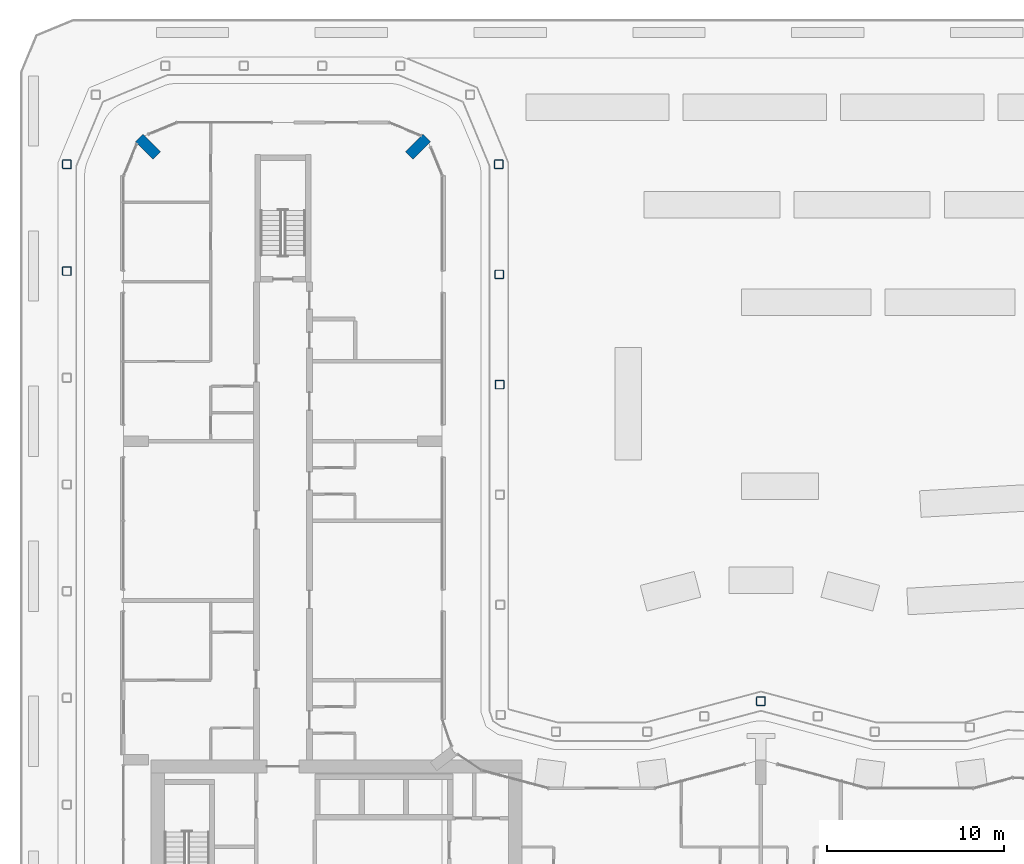
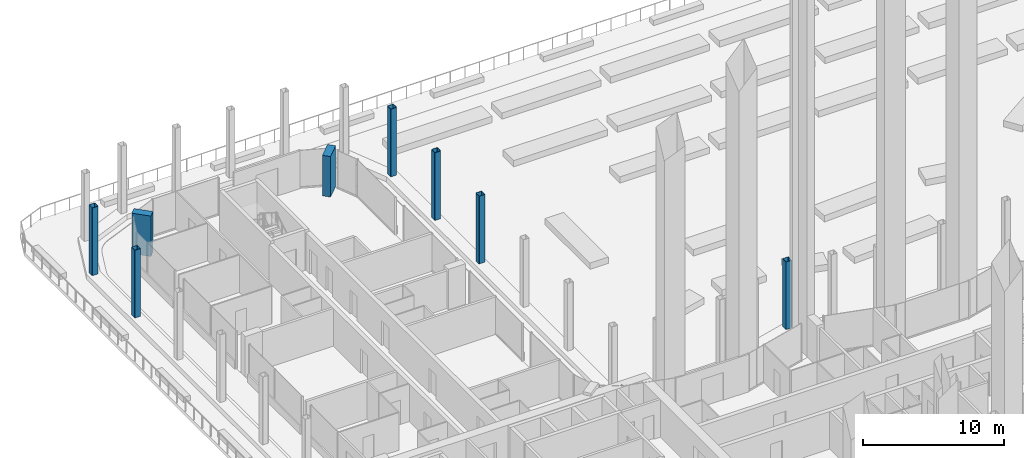
# One storey, part 2 of 33: 8 columns.
"""IFC4 building model written with IfcOpenShell, lengths in metres."""

from ifc_helpers import new_model, si_unit, direction, frame, origin, origin_2d, place, context, subcontext, project, spatial, rectangle, hollow_rectangle, extrude, material, material_profile, profile_set, type_object, element, save


model = new_model("IFC4")

# Units and contexts
model_context = context("Model", 3, precision=1e-05, world=origin(), true_north=direction((0.0, 1.0)))
body_context = subcontext(model_context, "Body", "Model", "MODEL_VIEW")
ifc_project = project(units=[si_unit("LENGTHUNIT", "METRE"), si_unit("AREAUNIT", "SQUARE_METRE"), si_unit("VOLUMEUNIT", "CUBIC_METRE"), si_unit("PLANEANGLEUNIT", "RADIAN"), si_unit("MASSUNIT", "GRAM", prefix="KILO")], contexts=[model_context])

# Site, building, storey
site_placement = place(None, origin())
site = spatial("IfcSite", under=ifc_project, at=site_placement, CompositionType="ELEMENT")
building_placement = place(site_placement, origin())
building = spatial("IfcBuilding", under=site, at=building_placement, Name="Plateau Cross Towers", CompositionType="ELEMENT")
storey_placement = place(building_placement, frame((0.0, 0.0, 26.800048828125)))
storey = spatial("IfcBuildingStorey", under=building, at=storey_placement, Name="L05", CompositionType="ELEMENT", Elevation=26.800048828125)

# Columns
ifc_material_1 = material(Name="Concrete C60/75", Category="concrete")
ifc_material_profile_1 = material_profile(ifc_material_1, rectangle(XDim=0.60009765625, YDim=1.39990234375, at=origin_2d()), Name="RC 600x1400")
ifc_profile_set_1 = profile_set([ifc_material_profile_1], Name="Concrete C60/75")
column_type_1 = type_object("IfcColumnType", Name="Fin pier column RC 600x1400", PredefinedType="COLUMN", material=ifc_profile_set_1)
for number, where, z_axis, x_axis, name in (
    (1, (16.62646484375, 52.62646484375, 0.0), (0.0, 0.0, 1.0), (-0.707106781187, 0.707106781187, 0.0), "PR8 L05"),
    (2, (1.37353515625, 52.62646484375, 0.0), (0.0, 0.0, 1.0), (0.707106781187, 0.707106781187, 0.0), "PR9 L05"),
):
    element("IfcColumn", number, at=place(storey_placement, frame(where, z_axis=z_axis, x_axis=x_axis)), inside=storey, type_object=column_type_1, Name=name, PredefinedType="COLUMN", context=body_context, shape_type="SweptSolid", body=[
        extrude(rectangle(XDim=0.60009765625, YDim=1.39990234375, at=origin_2d()), origin(), (0.0, 0.0, 1.0), 3.5),
    ])
ifc_material_2 = material(Name="Steel S355", Category="steel")
ifc_material_profile_2 = material_profile(ifc_material_2, hollow_rectangle(XDim=0.5, YDim=0.5, WallThickness=0.02490234375, InnerFilletRadius=0.02490234375, OuterFilletRadius=0.050048828125, at=origin_2d()), Name="SHS 500x500x25")
ifc_profile_set_2 = profile_set([ifc_material_profile_2], Name="Steel S355")
column_type_2 = type_object("IfcColumnType", Name="Plinth column SHS 500x500x25", PredefinedType="COLUMN", material=ifc_profile_set_2)
for number, where, z_axis, x_axis, name in (
    (3, (-3.199951171875, 45.609130859375, 0.449951171875), (0.0, 0.0, 1.0), (1.0, 0.0, 0.0), "Plinth column 29"),
    (4, (-3.199951171875, 51.636474609375, 0.449951171875), (0.0, 0.0, 1.0), (1.0, 0.0, 0.0), "Plinth column 30"),
    (5, (21.199951171875, 51.636474609375, 0.449951171875), (0.0, 0.0, 1.0), (1.0, 0.0, 0.0), "Plinth column 37"),
    (6, (21.22021484375, 45.415771484375, 0.449951171875), (0.0, 0.0, 1.0), (1.0, 0.0, 0.0), "Plinth column 38"),
    (7, (21.240478515625, 39.1953125, 0.449951171875), (0.0, 0.0, 1.0), (1.0, 0.0, 0.0), "Plinth column 39"),
    (8, (36.0, 21.312744140625, 0.449951171875), (0.0, 0.0, 1.0), (1.0, 0.0, 0.0), "Plinth column 46"),
):
    element("IfcColumn", number, at=place(storey_placement, frame(where, z_axis=z_axis, x_axis=x_axis)), inside=storey, type_object=column_type_2, Name=name, PredefinedType="COLUMN", context=body_context, shape_type="SweptSolid", body=[
        extrude(hollow_rectangle(XDim=0.5, YDim=0.5, WallThickness=0.02490234375, InnerFilletRadius=0.02490234375, OuterFilletRadius=0.050048828125, at=origin_2d()), origin(), (0.0, 0.0, 1.0), 5.85009765625),
    ])

save(model, "model.ifc")
